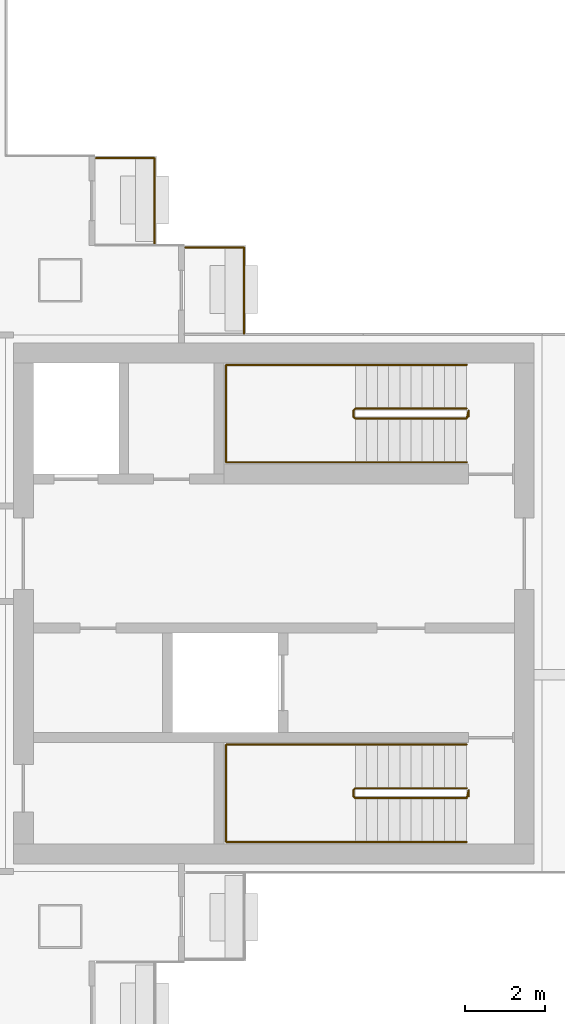
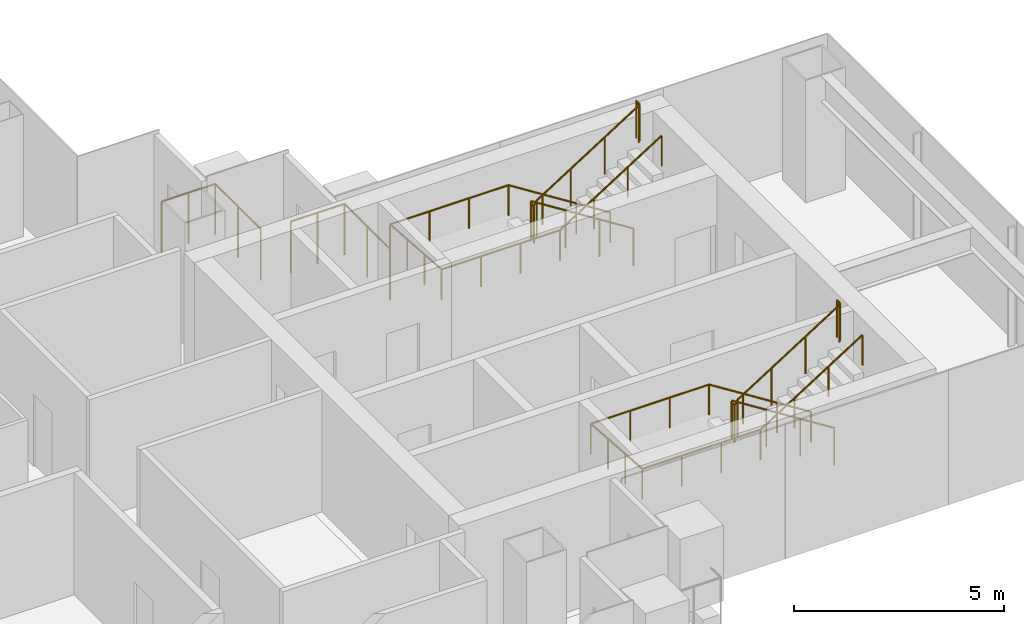
# One storey, part 15 of 16: 6 railings.
"""IFC4 building model written with IfcOpenShell, lengths in metres."""

from ifc_helpers import new_model, si_unit, direction, frame, origin, origin_2d, place, context, subcontext, project, spatial, circle, extrude, material, type_object, element, save


model = new_model("IFC4")

# Units and contexts
model_context = context("Model", 3, precision=1e-05, world=origin(), true_north=direction((0.0, 1.0)))
body_context = subcontext(model_context, "Body", "Model", "MODEL_VIEW")
ifc_project = project(units=[si_unit("LENGTHUNIT", "METRE"), si_unit("AREAUNIT", "SQUARE_METRE"), si_unit("VOLUMEUNIT", "CUBIC_METRE"), si_unit("PLANEANGLEUNIT", "RADIAN"), si_unit("MASSUNIT", "GRAM", prefix="KILO")], contexts=[model_context])

# Site, building, storey
site_placement = place(None, origin())
site = spatial("IfcSite", under=ifc_project, at=site_placement, CompositionType="ELEMENT")
building_placement = place(site_placement, origin())
building = spatial("IfcBuilding", under=site, at=building_placement, Name="Shamsa Quay Exchange Towers", CompositionType="ELEMENT")
storey_placement = place(building_placement, frame((0.0, 0.0, 138.89990234375)))
storey = spatial("IfcBuildingStorey", under=building, at=storey_placement, Name="L32", CompositionType="ELEMENT", Elevation=138.89990234375)

# Railings
ifc_material_1 = material(Name="Steel S355, black powder-coated", Category="steel")
railing_type_1 = type_object("IfcRailingType", Name="BALCONY GUARD 1500", PredefinedType="GUARDRAIL", material=ifc_material_1)
for number, where, name in (
    (1, (44.25, 9.0380859375, 0.0), "Balcony guard T2-PKES L32"),
    (2, (46.5, 6.7880859375, 0.0), "Balcony guard T2-PKES L32"),
):
    element("IfcRailing", number, at=place(storey_placement, frame(where)), inside=storey, type_object=railing_type_1, Name=name, PredefinedType="GUARDRAIL", context=body_context, shape_type="SweptSolid", body=[
        extrude(circle(Radius=0.02392578125, at=origin_2d()), frame((0.0, 0.0, 1.47607421875), z_axis=(0.0, 1.0, 0.0), x_axis=(-1.0, 0.0, 0.0)), (0.0, 0.0, 1.0), 2.161865234375),
        extrude(circle(Radius=0.02392578125, at=origin_2d()), frame((0.0, 2.161865234375, 1.47607421875), z_axis=(-1.0, 0.0, 0.0), x_axis=(0.0, -1.0, 0.0)), (0.0, 0.0, 1.0), 1.47900390625),
        extrude(circle(Radius=0.02099609375, at=origin_2d()), origin(), (0.0, 0.0, 1.0), 1.451904296875),
        extrude(circle(Radius=0.02099609375, at=origin_2d()), frame((0.0, 1.0810546875, 0.0)), (0.0, 0.0, 1.0), 1.451904296875),
        extrude(circle(Radius=0.02099609375, at=origin_2d()), frame((0.0, 2.161865234375, 0.0)), (0.0, 0.0, 1.0), 1.451904296875),
        extrude(circle(Radius=0.02099609375, at=origin_2d()), frame((-0.739501953125, 2.161865234375, 0.0)), (0.0, 0.0, 1.0), 1.451904296875),
        extrude(circle(Radius=0.02099609375, at=origin_2d()), frame((-1.47900390625, 2.161865234375, 0.0)), (0.0, 0.0, 1.0), 1.451904296875),
    ])
ifc_material_2 = material(Name="Stainless steel", Category="steel")
railing_type_2 = type_object("IfcRailingType", Name="STAIR GUARD 1100", PredefinedType="GUARDRAIL", material=ifc_material_2)
railing_1_placement = place(storey_placement, frame((52.10009765625, -4.64990234375, 0.177490234375)))
element("IfcRailing", 3, at=railing_1_placement, inside=storey, type_object=railing_type_2, Name="L32 ST5 stair guard 1", PredefinedType="GUARDRAIL", context=body_context, shape_type="SweptSolid", body=[
    extrude(circle(Radius=0.02392578125, at=origin_2d()), frame((0.0, 0.0, 1.076171875), z_axis=(-0.844908973607, 0.0, 0.534910110503), x_axis=(0.0, -1.0, 0.0)), (0.0, 0.0, 1.0), 3.31396484375),
    extrude(circle(Radius=0.02392578125, at=origin_2d()), frame((-2.800048828125, 0.0, 2.8486328125), z_axis=(-0.707106781187, -0.707106781187, 0.0), x_axis=(0.707106781187, -0.707106781187, 0.0)), (0.0, 0.0, 1.0), 0.07080078125),
    extrude(circle(Radius=0.02392578125, at=origin_2d()), frame((-2.85009765625, -0.050048828125, 2.8486328125), z_axis=(0.0, -1.0, 0.0), x_axis=(1.0, 0.0, 0.0)), (0.0, 0.0, 1.0), 0.150146484375),
    extrude(circle(Radius=0.02392578125, at=origin_2d()), frame((-2.85009765625, -0.2001953125, 2.8486328125), z_axis=(0.262321481514, -0.261041864531, 0.929001929653), x_axis=(0.705375805398, 0.708833529934, 0.0)), (0.0, 0.0, 1.0), 0.190673828125),
    extrude(circle(Radius=0.02392578125, at=origin_2d()), frame((-2.800048828125, -0.25, 3.02587890625), z_axis=(0.844908973607, 0.0, 0.534910110503), x_axis=(0.0, 1.0, 0.0)), (0.0, 0.0, 1.0), 3.31396484375),
    extrude(circle(Radius=0.02392578125, at=origin_2d()), frame((0.0, -0.25, 4.798828125), z_axis=(0.241699205484, 0.970351222016, 0.0), x_axis=(-0.970351222016, 0.241699205484, 0.0)), (0.0, 0.0, 1.0), 0.2060546875),
    extrude(circle(Radius=0.02392578125, at=origin_2d()), frame((0.0498046875, -0.050048828125, 4.798828125), z_axis=(0.0, -1.0, 0.0), x_axis=(1.0, 0.0, 0.0)), (0.0, 0.0, 1.0), 0.150146484375),
    extrude(circle(Radius=0.02099609375, at=origin_2d()), origin(), (0.0, 0.0, 1.0), 1.052001953125),
    extrude(circle(Radius=0.02099609375, at=origin_2d()), frame((-0.933349609375, 0.0, 0.5908203125)), (0.0, 0.0, 1.0), 1.052001953125),
    extrude(circle(Radius=0.02099609375, at=origin_2d()), frame((-1.86669921875, 0.0, 1.181884765625)), (0.0, 0.0, 1.0), 1.052001953125),
    extrude(circle(Radius=0.02099609375, at=origin_2d()), frame((-2.800048828125, 0.0, 1.772705078125)), (0.0, 0.0, 1.0), 1.052001953125),
    extrude(circle(Radius=0.02099609375, at=origin_2d()), frame((-2.85009765625, -0.050048828125, 1.772705078125)), (0.0, 0.0, 1.0), 1.052001953125),
    extrude(circle(Radius=0.02099609375, at=origin_2d()), frame((-2.85009765625, -0.2001953125, 1.772705078125)), (0.0, 0.0, 1.0), 1.052001953125),
    extrude(circle(Radius=0.02099609375, at=origin_2d()), frame((-2.800048828125, -0.25, 1.949951171875)), (0.0, 0.0, 1.0), 1.052001953125),
    extrude(circle(Radius=0.02099609375, at=origin_2d()), frame((-1.86669921875, -0.25, 2.540771484375)), (0.0, 0.0, 1.0), 1.052001953125),
    extrude(circle(Radius=0.02099609375, at=origin_2d()), frame((-0.933349609375, -0.25, 3.1318359375)), (0.0, 0.0, 1.0), 1.052001953125),
    extrude(circle(Radius=0.02099609375, at=origin_2d()), frame((0.0, -0.25, 3.72265625)), (0.0, 0.0, 1.0), 1.052001953125),
    extrude(circle(Radius=0.02099609375, at=origin_2d()), frame((0.0498046875, -0.050048828125, 3.72265625)), (0.0, 0.0, 1.0), 1.052001953125),
    extrude(circle(Radius=0.02099609375, at=origin_2d()), frame((0.0498046875, -0.2001953125, 3.72265625)), (0.0, 0.0, 1.0), 1.052001953125),
])
railing_2_placement = place(storey_placement, frame((52.10009765625, 4.89990234375, 0.177490234375)))
element("IfcRailing", 4, at=railing_2_placement, inside=storey, type_object=railing_type_2, Name="L32 ST6 stair guard 1", PredefinedType="GUARDRAIL", context=body_context, shape_type="SweptSolid", body=[
    extrude(circle(Radius=0.02392578125, at=origin_2d()), frame((0.0, 0.0, 1.076171875), z_axis=(-0.844908973607, 0.0, 0.534910110503), x_axis=(0.0, -1.0, 0.0)), (0.0, 0.0, 1.0), 3.31396484375),
    extrude(circle(Radius=0.02392578125, at=origin_2d()), frame((-2.800048828125, 0.0, 2.8486328125), z_axis=(-0.708833529934, -0.705375805398, 0.0), x_axis=(0.705375805398, -0.708833529934, 0.0)), (0.0, 0.0, 1.0), 0.070556640625),
    extrude(circle(Radius=0.02392578125, at=origin_2d()), frame((-2.85009765625, -0.0498046875, 2.8486328125), z_axis=(0.0, -1.0, 0.0), x_axis=(1.0, 0.0, 0.0)), (0.0, 0.0, 1.0), 0.150146484375),
    extrude(circle(Radius=0.02392578125, at=origin_2d()), frame((-2.85009765625, -0.199951171875, 2.8486328125), z_axis=(0.262233686654, -0.262233686654, 0.928691007369), x_axis=(0.707106781187, 0.707106781187, 0.0)), (0.0, 0.0, 1.0), 0.19091796875),
    extrude(circle(Radius=0.02392578125, at=origin_2d()), frame((-2.800048828125, -0.25, 3.02587890625), z_axis=(0.844908973607, 0.0, 0.534910110503), x_axis=(0.0, 1.0, 0.0)), (0.0, 0.0, 1.0), 3.31396484375),
    extrude(circle(Radius=0.02392578125, at=origin_2d()), frame((0.0, -0.25, 4.798828125), z_axis=(0.24142163986, 0.970420317083, 0.0), x_axis=(-0.970420317083, 0.24142163986, 0.0)), (0.0, 0.0, 1.0), 0.206298828125),
    extrude(circle(Radius=0.02392578125, at=origin_2d()), frame((0.0498046875, -0.0498046875, 4.798828125), z_axis=(0.0, -1.0, 0.0), x_axis=(1.0, 0.0, 0.0)), (0.0, 0.0, 1.0), 0.150146484375),
    extrude(circle(Radius=0.02099609375, at=origin_2d()), origin(), (0.0, 0.0, 1.0), 1.052001953125),
    extrude(circle(Radius=0.02099609375, at=origin_2d()), frame((-0.933349609375, 0.0, 0.5908203125)), (0.0, 0.0, 1.0), 1.052001953125),
    extrude(circle(Radius=0.02099609375, at=origin_2d()), frame((-1.86669921875, 0.0, 1.181884765625)), (0.0, 0.0, 1.0), 1.052001953125),
    extrude(circle(Radius=0.02099609375, at=origin_2d()), frame((-2.800048828125, 0.0, 1.772705078125)), (0.0, 0.0, 1.0), 1.052001953125),
    extrude(circle(Radius=0.02099609375, at=origin_2d()), frame((-2.85009765625, -0.0498046875, 1.772705078125)), (0.0, 0.0, 1.0), 1.052001953125),
    extrude(circle(Radius=0.02099609375, at=origin_2d()), frame((-2.85009765625, -0.199951171875, 1.772705078125)), (0.0, 0.0, 1.0), 1.052001953125),
    extrude(circle(Radius=0.02099609375, at=origin_2d()), frame((-2.800048828125, -0.25, 1.949951171875)), (0.0, 0.0, 1.0), 1.052001953125),
    extrude(circle(Radius=0.02099609375, at=origin_2d()), frame((-1.86669921875, -0.25, 2.540771484375)), (0.0, 0.0, 1.0), 1.052001953125),
    extrude(circle(Radius=0.02099609375, at=origin_2d()), frame((-0.933349609375, -0.25, 3.1318359375)), (0.0, 0.0, 1.0), 1.052001953125),
    extrude(circle(Radius=0.02099609375, at=origin_2d()), frame((0.0, -0.25, 3.72265625)), (0.0, 0.0, 1.0), 1.052001953125),
    extrude(circle(Radius=0.02099609375, at=origin_2d()), frame((0.0498046875, -0.0498046875, 3.72265625)), (0.0, 0.0, 1.0), 1.052001953125),
    extrude(circle(Radius=0.02099609375, at=origin_2d()), frame((0.0498046875, -0.199951171875, 3.72265625)), (0.0, 0.0, 1.0), 1.052001953125),
])
railing_type_3 = type_object("IfcRailingType", Name="STAIR HANDRAIL 900", PredefinedType="HANDRAIL", material=ifc_material_2)
railing_3_placement = place(storey_placement, frame((52.10009765625, -3.550048828125, 0.177490234375)))
element("IfcRailing", 5, at=railing_3_placement, inside=storey, type_object=railing_type_3, Name="L32 ST5 stair handrail 1", PredefinedType="HANDRAIL", context=body_context, shape_type="SweptSolid", body=[
    extrude(circle(Radius=0.02392578125, at=origin_2d()), frame((0.0, 0.0, 0.8759765625), z_axis=(-0.844908973607, 0.0, 0.534910110503), x_axis=(0.0, -1.0, 0.0)), (0.0, 0.0, 1.0), 3.31396484375),
    extrude(circle(Radius=0.02392578125, at=origin_2d()), frame((-2.800048828125, 0.0, 2.6484375), z_axis=(-1.0, 0.0, 0.0), x_axis=(0.0, -1.0, 0.0)), (0.0, 0.0, 1.0), 3.25),
    extrude(circle(Radius=0.02392578125, at=origin_2d()), frame((-6.050048828125, 0.0, 2.6484375), z_axis=(0.0, -0.997393199914, 0.07215819264), x_axis=(1.0, 0.0, 0.0)), (0.0, 0.0, 1.0), 2.456298828125),
    extrude(circle(Radius=0.02392578125, at=origin_2d()), frame((-6.050048828125, -2.449951171875, 2.82568359375), z_axis=(1.0, 0.0, 0.0), x_axis=(0.0, 1.0, 0.0)), (0.0, 0.0, 1.0), 3.25),
    extrude(circle(Radius=0.02392578125, at=origin_2d()), frame((-2.800048828125, -2.449951171875, 2.82568359375), z_axis=(0.844908973607, 0.0, 0.534910110503), x_axis=(0.0, 1.0, 0.0)), (0.0, 0.0, 1.0), 3.31396484375),
    extrude(circle(Radius=0.02099609375, at=origin_2d()), origin(), (0.0, 0.0, 1.0), 0.851806640625),
    extrude(circle(Radius=0.02099609375, at=origin_2d()), frame((-0.933349609375, 0.0, 0.5908203125)), (0.0, 0.0, 1.0), 0.851806640625),
    extrude(circle(Radius=0.02099609375, at=origin_2d()), frame((-1.86669921875, 0.0, 1.181884765625)), (0.0, 0.0, 1.0), 0.851806640625),
    extrude(circle(Radius=0.02099609375, at=origin_2d()), frame((-2.800048828125, 0.0, 1.772705078125)), (0.0, 0.0, 1.0), 0.851806640625),
    extrude(circle(Radius=0.02099609375, at=origin_2d()), frame((-3.88330078125, 0.0, 1.772705078125)), (0.0, 0.0, 1.0), 0.851806640625),
    extrude(circle(Radius=0.02099609375, at=origin_2d()), frame((-4.966796875, 0.0, 1.772705078125)), (0.0, 0.0, 1.0), 0.851806640625),
    extrude(circle(Radius=0.02099609375, at=origin_2d()), frame((-6.050048828125, 0.0, 1.772705078125)), (0.0, 0.0, 1.0), 0.851806640625),
    extrude(circle(Radius=0.02099609375, at=origin_2d()), frame((-6.050048828125, -0.816650390625, 1.831787109375)), (0.0, 0.0, 1.0), 0.851806640625),
    extrude(circle(Radius=0.02099609375, at=origin_2d()), frame((-6.050048828125, -1.63330078125, 1.890869140625)), (0.0, 0.0, 1.0), 0.851806640625),
    extrude(circle(Radius=0.02099609375, at=origin_2d()), frame((-6.050048828125, -2.449951171875, 1.949951171875)), (0.0, 0.0, 1.0), 0.851806640625),
    extrude(circle(Radius=0.02099609375, at=origin_2d()), frame((-4.966796875, -2.449951171875, 1.949951171875)), (0.0, 0.0, 1.0), 0.851806640625),
    extrude(circle(Radius=0.02099609375, at=origin_2d()), frame((-3.88330078125, -2.449951171875, 1.949951171875)), (0.0, 0.0, 1.0), 0.851806640625),
    extrude(circle(Radius=0.02099609375, at=origin_2d()), frame((-2.800048828125, -2.449951171875, 1.949951171875)), (0.0, 0.0, 1.0), 0.851806640625),
    extrude(circle(Radius=0.02099609375, at=origin_2d()), frame((-1.86669921875, -2.449951171875, 2.540771484375)), (0.0, 0.0, 1.0), 0.851806640625),
    extrude(circle(Radius=0.02099609375, at=origin_2d()), frame((-0.933349609375, -2.449951171875, 3.1318359375)), (0.0, 0.0, 1.0), 0.851806640625),
    extrude(circle(Radius=0.02099609375, at=origin_2d()), frame((0.0, -2.449951171875, 3.72265625)), (0.0, 0.0, 1.0), 0.851806640625),
])
railing_4_placement = place(storey_placement, frame((52.10009765625, 6.0, 0.177490234375)))
element("IfcRailing", 6, at=railing_4_placement, inside=storey, type_object=railing_type_3, Name="L32 ST6 stair handrail 1", PredefinedType="HANDRAIL", context=body_context, shape_type="SweptSolid", body=[
    extrude(circle(Radius=0.02392578125, at=origin_2d()), frame((0.0, 0.0, 0.8759765625), z_axis=(-0.844908973607, 0.0, 0.534910110503), x_axis=(0.0, -1.0, 0.0)), (0.0, 0.0, 1.0), 3.31396484375),
    extrude(circle(Radius=0.02392578125, at=origin_2d()), frame((-2.800048828125, 0.0, 2.6484375), z_axis=(-1.0, 0.0, 0.0), x_axis=(0.0, -1.0, 0.0)), (0.0, 0.0, 1.0), 3.25),
    extrude(circle(Radius=0.02392578125, at=origin_2d()), frame((-6.050048828125, 0.0, 2.6484375), z_axis=(0.0, -0.997393199914, 0.07215819264), x_axis=(1.0, 0.0, 0.0)), (0.0, 0.0, 1.0), 2.456298828125),
    extrude(circle(Radius=0.02392578125, at=origin_2d()), frame((-6.050048828125, -2.449951171875, 2.82568359375), z_axis=(1.0, 0.0, 0.0), x_axis=(0.0, 1.0, 0.0)), (0.0, 0.0, 1.0), 3.25),
    extrude(circle(Radius=0.02392578125, at=origin_2d()), frame((-2.800048828125, -2.449951171875, 2.82568359375), z_axis=(0.844908973607, 0.0, 0.534910110503), x_axis=(0.0, 1.0, 0.0)), (0.0, 0.0, 1.0), 3.31396484375),
    extrude(circle(Radius=0.02099609375, at=origin_2d()), origin(), (0.0, 0.0, 1.0), 0.851806640625),
    extrude(circle(Radius=0.02099609375, at=origin_2d()), frame((-0.933349609375, 0.0, 0.5908203125)), (0.0, 0.0, 1.0), 0.851806640625),
    extrude(circle(Radius=0.02099609375, at=origin_2d()), frame((-1.86669921875, 0.0, 1.181884765625)), (0.0, 0.0, 1.0), 0.851806640625),
    extrude(circle(Radius=0.02099609375, at=origin_2d()), frame((-2.800048828125, 0.0, 1.772705078125)), (0.0, 0.0, 1.0), 0.851806640625),
    extrude(circle(Radius=0.02099609375, at=origin_2d()), frame((-3.88330078125, 0.0, 1.772705078125)), (0.0, 0.0, 1.0), 0.851806640625),
    extrude(circle(Radius=0.02099609375, at=origin_2d()), frame((-4.966796875, 0.0, 1.772705078125)), (0.0, 0.0, 1.0), 0.851806640625),
    extrude(circle(Radius=0.02099609375, at=origin_2d()), frame((-6.050048828125, 0.0, 1.772705078125)), (0.0, 0.0, 1.0), 0.851806640625),
    extrude(circle(Radius=0.02099609375, at=origin_2d()), frame((-6.050048828125, -0.816650390625, 1.831787109375)), (0.0, 0.0, 1.0), 0.851806640625),
    extrude(circle(Radius=0.02099609375, at=origin_2d()), frame((-6.050048828125, -1.63330078125, 1.890869140625)), (0.0, 0.0, 1.0), 0.851806640625),
    extrude(circle(Radius=0.02099609375, at=origin_2d()), frame((-6.050048828125, -2.449951171875, 1.949951171875)), (0.0, 0.0, 1.0), 0.851806640625),
    extrude(circle(Radius=0.02099609375, at=origin_2d()), frame((-4.966796875, -2.449951171875, 1.949951171875)), (0.0, 0.0, 1.0), 0.851806640625),
    extrude(circle(Radius=0.02099609375, at=origin_2d()), frame((-3.88330078125, -2.449951171875, 1.949951171875)), (0.0, 0.0, 1.0), 0.851806640625),
    extrude(circle(Radius=0.02099609375, at=origin_2d()), frame((-2.800048828125, -2.449951171875, 1.949951171875)), (0.0, 0.0, 1.0), 0.851806640625),
    extrude(circle(Radius=0.02099609375, at=origin_2d()), frame((-1.86669921875, -2.449951171875, 2.540771484375)), (0.0, 0.0, 1.0), 0.851806640625),
    extrude(circle(Radius=0.02099609375, at=origin_2d()), frame((-0.933349609375, -2.449951171875, 3.1318359375)), (0.0, 0.0, 1.0), 0.851806640625),
    extrude(circle(Radius=0.02099609375, at=origin_2d()), frame((0.0, -2.449951171875, 3.72265625)), (0.0, 0.0, 1.0), 0.851806640625),
])

save(model, "model.ifc")
